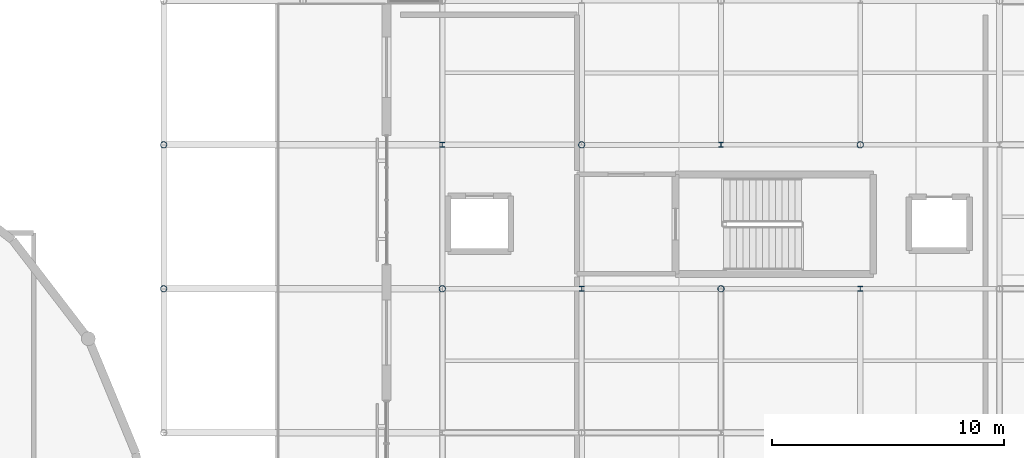
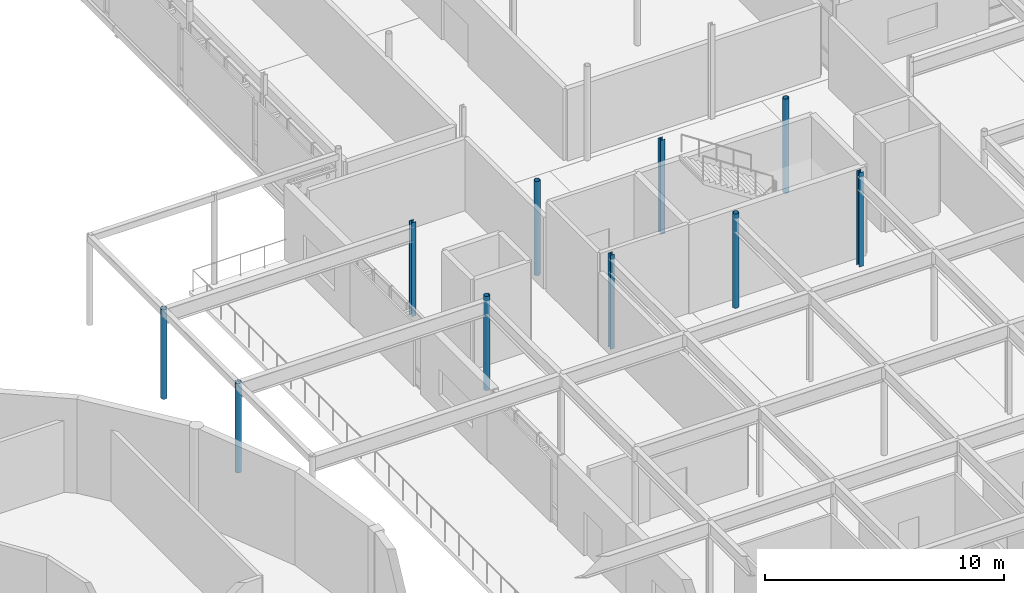
# One storey, part 8 of 48: 10 columns.
"""IFC4 building model written with IfcOpenShell, lengths in metres."""

from ifc_helpers import new_model, si_unit, direction, frame, origin, origin_2d, place, context, subcontext, project, spatial, hollow_circle, i_section, extrude, material, material_profile, profile_set, type_object, element, save


model = new_model("IFC4")

# Units and contexts
model_context = context("Model", 3, precision=1e-05, world=origin(), true_north=direction((0.0, 1.0)))
body_context = subcontext(model_context, "Body", "Model", "MODEL_VIEW")
ifc_project = project(units=[si_unit("LENGTHUNIT", "METRE"), si_unit("AREAUNIT", "SQUARE_METRE"), si_unit("VOLUMEUNIT", "CUBIC_METRE"), si_unit("PLANEANGLEUNIT", "RADIAN"), si_unit("MASSUNIT", "GRAM", prefix="KILO")], contexts=[model_context])

# Site, building, storey
site_placement = place(None, origin())
site = spatial("IfcSite", under=ifc_project, at=site_placement, CompositionType="ELEMENT")
building_placement = place(site_placement, origin())
building = spatial("IfcBuilding", under=site, at=building_placement, Name="Mirzam Square Science Centre", CompositionType="ELEMENT")
storey_placement = place(building_placement, frame((0.0, 0.0, 20.39990234375)))
storey = spatial("IfcBuildingStorey", under=building, at=storey_placement, Name="L04", CompositionType="ELEMENT", Elevation=20.39990234375)

# Columns
ifc_material = material(Name="Steel S355", Category="steel")
ifc_material_profile_1 = material_profile(ifc_material, hollow_circle(Radius=0.136474609375, WallThickness=0.010009765625, at=origin_2d()), Name="273.0x10.0CHS")
ifc_profile_set_1 = profile_set([ifc_material_profile_1], Name="Steel S355")
column_type_1 = type_object("IfcColumnType", Name="COL-CHS273", PredefinedType="COLUMN", material=ifc_profile_set_1)
for number, where, z_axis, x_axis, name in (
    (1, (102.0, 74.39990234375, 0.0), (0.0, 0.0, 1.0), (1.0, 0.0, 0.0), "L04 column G18-13"),
    (2, (102.0, 80.60009765625, 0.0), (0.0, 0.0, 1.0), (1.0, 0.0, 0.0), "L04 column G18-14"),
):
    element("IfcColumn", number, at=place(storey_placement, frame(where, z_axis=z_axis, x_axis=x_axis)), inside=storey, type_object=column_type_1, Name=name, PredefinedType="COLUMN", context=body_context, shape_type="SweptSolid", body=[
        extrude(hollow_circle(Radius=0.136474609375, WallThickness=0.010009765625, at=origin_2d()), origin(), (0.0, 0.0, 1.0), 4.570068359375),
    ])
for number, where, z_axis, x_axis, name in (
    (3, (114.0, 74.39990234375, 0.0), (0.0, 0.0, 1.0), (1.0, 0.0, 0.0), "L04 column G20-13"),
    (4, (120.0, 80.60009765625, 0.0), (0.0, 0.0, 1.0), (1.0, 0.0, 0.0), "L04 column G21-14"),
    (5, (126.0, 74.39990234375, 0.0), (0.0, 0.0, 1.0), (1.0, 0.0, 0.0), "L04 column G22-13"),
    (6, (132.0, 80.60009765625, 0.0), (0.0, 0.0, 1.0), (1.0, 0.0, 0.0), "L04 column G23-14"),
):
    element("IfcColumn", number, at=place(storey_placement, frame(where, z_axis=z_axis, x_axis=x_axis)), inside=storey, type_object=column_type_1, Name=name, PredefinedType="COLUMN", context=body_context, shape_type="SweptSolid", body=[
        extrude(hollow_circle(Radius=0.136474609375, WallThickness=0.010009765625, at=origin_2d()), origin(), (0.0, 0.0, 1.0), 4.800048828125),
    ])
ifc_material_profile_2 = material_profile(ifc_material, i_section(OverallWidth=0.205810546875, OverallDepth=0.209716796875, WebThickness=0.009521484375, FlangeThickness=0.01416015625, FilletRadius=0.01025390625, at=origin_2d()), Name="203x203x60UC")
ifc_profile_set_2 = profile_set([ifc_material_profile_2], Name="Steel S355")
column_type_2 = type_object("IfcColumnType", Name="COL-UC203A", PredefinedType="COLUMN", material=ifc_profile_set_2)
for number, where, z_axis, x_axis, name in (
    (7, (114.0, 80.60009765625, 0.0), (0.0, 0.0, 1.0), (1.0, 0.0, 0.0), "L04 column G20-14"),
    (8, (120.0, 74.39990234375, 0.0), (0.0, 0.0, 1.0), (1.0, 0.0, 0.0), "L04 column G21-13"),
    (9, (126.0, 80.60009765625, 0.0), (0.0, 0.0, 1.0), (1.0, 0.0, 0.0), "L04 column G22-14"),
    (10, (132.0, 74.39990234375, 0.0), (0.0, 0.0, 1.0), (1.0, 0.0, 0.0), "L04 column G23-13"),
):
    element("IfcColumn", number, at=place(storey_placement, frame(where, z_axis=z_axis, x_axis=x_axis)), inside=storey, type_object=column_type_2, Name=name, PredefinedType="COLUMN", context=body_context, shape_type="SweptSolid", body=[
        extrude(i_section(OverallWidth=0.205810546875, OverallDepth=0.209716796875, WebThickness=0.009521484375, FlangeThickness=0.01416015625, FilletRadius=0.01025390625, at=origin_2d()), origin(), (0.0, 0.0, 1.0), 4.800048828125),
    ])

save(model, "model.ifc")
